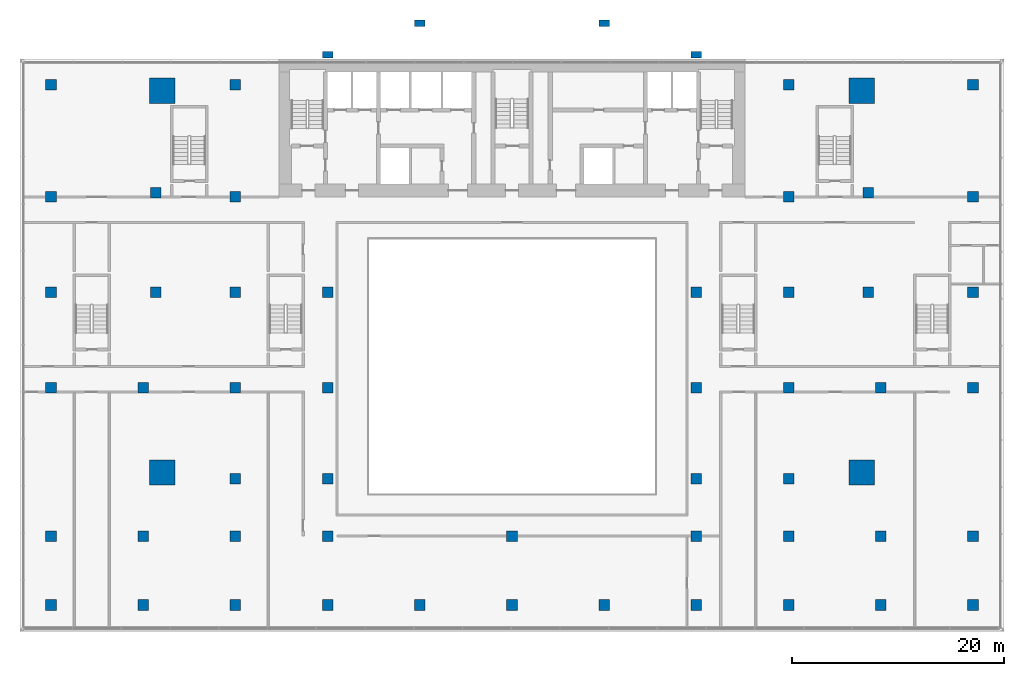
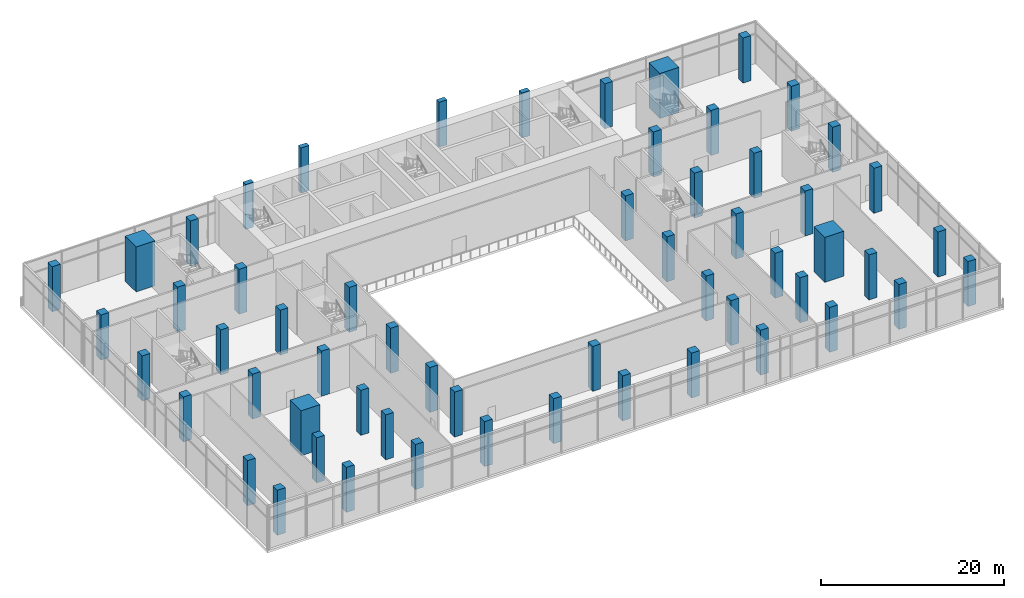
# One storey, part 1 of 22: 58 columns.
"""IFC4 building model written with IfcOpenShell, lengths in metres."""

from ifc_helpers import new_model, si_unit, direction, frame, origin, origin_2d, place, context, subcontext, project, spatial, rectangle, extrude, material, material_profile, profile_set, type_object, element, save


model = new_model("IFC4")

# Units and contexts
model_context = context("Model", 3, precision=1e-05, world=origin(), true_north=direction((0.0, 1.0)))
body_context = subcontext(model_context, "Body", "Model", "MODEL_VIEW")
ifc_project = project(units=[si_unit("LENGTHUNIT", "METRE"), si_unit("AREAUNIT", "SQUARE_METRE"), si_unit("VOLUMEUNIT", "CUBIC_METRE"), si_unit("PLANEANGLEUNIT", "RADIAN"), si_unit("MASSUNIT", "GRAM", prefix="KILO")], contexts=[model_context])

# Site, building, storey
site_placement = place(None, origin())
site = spatial("IfcSite", under=ifc_project, at=site_placement, CompositionType="ELEMENT")
building_placement = place(site_placement, origin())
building = spatial("IfcBuilding", under=site, at=building_placement, Name="Bicima Exchange Tower", CompositionType="ELEMENT")
storey_placement = place(building_placement, frame((0.0, 0.0, 14.0)))
storey = spatial("IfcBuildingStorey", under=building, at=storey_placement, Name="L02", CompositionType="ELEMENT", Elevation=14.0)

# Columns
ifc_material = material(Name="Concrete C60/75", Category="concrete")
ifc_material_profile_1 = material_profile(ifc_material, rectangle(XDim=2.39990234375, YDim=2.39990234375, at=origin_2d()))
ifc_profile_set_1 = profile_set([ifc_material_profile_1], Name="Concrete C60/75")
column_type_1 = type_object("IfcColumnType", Name="Reinforced concrete mega column 2400 x 2400", PredefinedType="COLUMN", material=ifc_profile_set_1)
for number, where, z_axis, x_axis, name in (
    (1, (-33.0, -39.0, 0.0), (0.0, 0.0, 1.0), (1.0, 0.0, 0.0), "Mega column"),
    (2, (-33.0, -3.0, 0.0), (0.0, 0.0, 1.0), (1.0, 0.0, 0.0), "Mega column"),
    (3, (33.0, -39.0, 0.0), (0.0, 0.0, 1.0), (1.0, 0.0, 0.0), "Mega column"),
    (4, (33.0, -3.0, 0.0), (0.0, 0.0, 1.0), (1.0, 0.0, 0.0), "Mega column"),
):
    element("IfcColumn", number, at=place(storey_placement, frame(where, z_axis=z_axis, x_axis=x_axis)), inside=storey, type_object=column_type_1, Name=name, PredefinedType="COLUMN", context=body_context, shape_type="SweptSolid", body=[
        extrude(rectangle(XDim=2.39990234375, YDim=2.39990234375, at=origin_2d()), origin(), (0.0, 0.0, 1.0), 6.0),
    ])
ifc_material_profile_2 = material_profile(ifc_material, rectangle(XDim=1.0, YDim=1.0, at=origin_2d()))
ifc_profile_set_2 = profile_set([ifc_material_profile_2], Name="Concrete C60/75")
column_type_2 = type_object("IfcColumnType", Name="Reinforced concrete podium column 1000 x 1000", PredefinedType="COLUMN", material=ifc_profile_set_2)
for number, where, z_axis, x_axis, name in (
    (5, (-26.10009765625, -39.60009765625, 0.0), (0.0, 0.0, 1.0), (1.0, 0.0, 0.0), "Column"),
    (6, (-26.10009765625, -2.39990234375, 0.0), (0.0, 0.0, 1.0), (1.0, 0.0, 0.0), "Column"),
    (7, (-17.39990234375, -39.60009765625, 0.0), (0.0, 0.0, 1.0), (1.0, 0.0, 0.0), "Column"),
    (8, (17.39990234375, -39.60009765625, 0.0), (0.0, 0.0, 1.0), (1.0, 0.0, 0.0), "Column"),
    (9, (26.10009765625, -39.60009765625, 0.0), (0.0, 0.0, 1.0), (1.0, 0.0, 0.0), "Column"),
    (10, (26.10009765625, -2.39990234375, 0.0), (0.0, 0.0, 1.0), (1.0, 0.0, 0.0), "Column"),
    (11, (-33.60009765625, -12.60009765625, 0.0), (0.0, 0.0, 1.0), (1.0, 0.0, 0.0), "Column"),
    (12, (-33.60009765625, -22.0, 0.0), (0.0, 0.0, 1.0), (1.0, 0.0, 0.0), "Column"),
    (13, (33.60009765625, -12.60009765625, 0.0), (0.0, 0.0, 1.0), (1.0, 0.0, 0.0), "Column"),
    (14, (33.60009765625, -22.0, 0.0), (0.0, 0.0, 1.0), (1.0, 0.0, 0.0), "Column"),
    (15, (-26.10009765625, -22.0, 0.0), (0.0, 0.0, 1.0), (1.0, 0.0, 0.0), "Column"),
    (16, (-17.39990234375, -22.0, 0.0), (0.0, 0.0, 1.0), (1.0, 0.0, 0.0), "Column"),
    (17, (17.39990234375, -22.0, 0.0), (0.0, 0.0, 1.0), (1.0, 0.0, 0.0), "Column"),
    (18, (26.10009765625, -22.0, 0.0), (0.0, 0.0, 1.0), (1.0, 0.0, 0.0), "Column"),
    (19, (-43.5, -2.39990234375, 0.0), (0.0, 0.0, 1.0), (1.0, 0.0, 0.0), "Column"),
    (20, (-43.5, -13.0, 0.0), (0.0, 0.0, 1.0), (1.0, 0.0, 0.0), "Column"),
    (21, (-43.5, -22.0, 0.0), (0.0, 0.0, 1.0), (1.0, 0.0, 0.0), "Column"),
    (22, (-43.5, -31.0, 0.0), (0.0, 0.0, 1.0), (1.0, 0.0, 0.0), "Column"),
    (23, (-43.5, -45.0, 0.0), (0.0, 0.0, 1.0), (1.0, 0.0, 0.0), "Column"),
    (24, (-43.5, -51.5, 0.0), (0.0, 0.0, 1.0), (1.0, 0.0, 0.0), "Column"),
    (25, (-34.800048828125, -31.0, 0.0), (0.0, 0.0, 1.0), (1.0, 0.0, 0.0), "Column"),
    (26, (-34.800048828125, -45.0, 0.0), (0.0, 0.0, 1.0), (1.0, 0.0, 0.0), "Column"),
    (27, (-34.800048828125, -51.5, 0.0), (0.0, 0.0, 1.0), (1.0, 0.0, 0.0), "Column"),
    (28, (-26.10009765625, -13.0, 0.0), (0.0, 0.0, 1.0), (1.0, 0.0, 0.0), "Column"),
    (29, (-26.10009765625, -31.0, 0.0), (0.0, 0.0, 1.0), (1.0, 0.0, 0.0), "Column"),
    (30, (-26.10009765625, -45.0, 0.0), (0.0, 0.0, 1.0), (1.0, 0.0, 0.0), "Column"),
    (31, (-26.10009765625, -51.5, 0.0), (0.0, 0.0, 1.0), (1.0, 0.0, 0.0), "Column"),
    (32, (-17.39990234375, -31.0, 0.0), (0.0, 0.0, 1.0), (1.0, 0.0, 0.0), "Column"),
    (33, (-17.39990234375, -45.0, 0.0), (0.0, 0.0, 1.0), (1.0, 0.0, 0.0), "Column"),
    (34, (-17.39990234375, -51.5, 0.0), (0.0, 0.0, 1.0), (1.0, 0.0, 0.0), "Column"),
    (35, (-8.699951171875, -51.5, 0.0), (0.0, 0.0, 1.0), (1.0, 0.0, 0.0), "Column"),
    (36, (0.0, -45.0, 0.0), (0.0, 0.0, 1.0), (1.0, 0.0, 0.0), "Column"),
    (37, (0.0, -51.5, 0.0), (0.0, 0.0, 1.0), (1.0, 0.0, 0.0), "Column"),
    (38, (8.699951171875, -51.5, 0.0), (0.0, 0.0, 1.0), (1.0, 0.0, 0.0), "Column"),
    (39, (17.39990234375, -31.0, 0.0), (0.0, 0.0, 1.0), (1.0, 0.0, 0.0), "Column"),
    (40, (17.39990234375, -45.0, 0.0), (0.0, 0.0, 1.0), (1.0, 0.0, 0.0), "Column"),
    (41, (17.39990234375, -51.5, 0.0), (0.0, 0.0, 1.0), (1.0, 0.0, 0.0), "Column"),
    (42, (26.10009765625, -13.0, 0.0), (0.0, 0.0, 1.0), (1.0, 0.0, 0.0), "Column"),
    (43, (26.10009765625, -31.0, 0.0), (0.0, 0.0, 1.0), (1.0, 0.0, 0.0), "Column"),
    (44, (26.10009765625, -45.0, 0.0), (0.0, 0.0, 1.0), (1.0, 0.0, 0.0), "Column"),
    (45, (26.10009765625, -51.5, 0.0), (0.0, 0.0, 1.0), (1.0, 0.0, 0.0), "Column"),
    (46, (34.800048828125, -31.0, 0.0), (0.0, 0.0, 1.0), (1.0, 0.0, 0.0), "Column"),
    (47, (34.800048828125, -45.0, 0.0), (0.0, 0.0, 1.0), (1.0, 0.0, 0.0), "Column"),
    (48, (34.800048828125, -51.5, 0.0), (0.0, 0.0, 1.0), (1.0, 0.0, 0.0), "Column"),
    (49, (43.5, -2.39990234375, 0.0), (0.0, 0.0, 1.0), (1.0, 0.0, 0.0), "Column"),
    (50, (43.5, -13.0, 0.0), (0.0, 0.0, 1.0), (1.0, 0.0, 0.0), "Column"),
    (51, (43.5, -22.0, 0.0), (0.0, 0.0, 1.0), (1.0, 0.0, 0.0), "Column"),
    (52, (43.5, -31.0, 0.0), (0.0, 0.0, 1.0), (1.0, 0.0, 0.0), "Column"),
    (53, (43.5, -45.0, 0.0), (0.0, 0.0, 1.0), (1.0, 0.0, 0.0), "Column"),
    (54, (43.5, -51.5, 0.0), (0.0, 0.0, 1.0), (1.0, 0.0, 0.0), "Column"),
):
    element("IfcColumn", number, at=place(storey_placement, frame(where, z_axis=z_axis, x_axis=x_axis)), inside=storey, type_object=column_type_2, Name=name, PredefinedType="COLUMN", context=body_context, shape_type="SweptSolid", body=[
        extrude(rectangle(XDim=1.0, YDim=1.0, at=origin_2d()), origin(), (0.0, 0.0, 1.0), 6.0),
    ])
ifc_material_profile_3 = material_profile(ifc_material, rectangle(XDim=1.0, YDim=0.60009765625, at=origin_2d()))
ifc_profile_set_3 = profile_set([ifc_material_profile_3], Name="Concrete C60/75")
column_type_3 = type_object("IfcColumnType", Name="Reinforced concrete rear pilaster column 1000 x 600", PredefinedType="COLUMN", material=ifc_profile_set_3)
for number, where, z_axis, x_axis, name in (
    (55, (-8.699951171875, 3.39111328125, 0.0), (0.0, 0.0, 1.0), (1.0, 0.0, 0.0), "Column"),
    (56, (-17.39990234375, 0.39990234375, 0.0), (0.0, 0.0, 1.0), (1.0, 0.0, 0.0), "Column"),
    (57, (8.699951171875, 3.39111328125, 0.0), (0.0, 0.0, 1.0), (1.0, 0.0, 0.0), "Column"),
    (58, (17.39990234375, 0.39990234375, 0.0), (0.0, 0.0, 1.0), (1.0, 0.0, 0.0), "Column"),
):
    element("IfcColumn", number, at=place(storey_placement, frame(where, z_axis=z_axis, x_axis=x_axis)), inside=storey, type_object=column_type_3, Name=name, PredefinedType="COLUMN", context=body_context, shape_type="SweptSolid", body=[
        extrude(rectangle(XDim=1.0, YDim=0.60009765625, at=origin_2d()), origin(), (0.0, 0.0, 1.0), 6.0),
    ])

save(model, "model.ifc")
